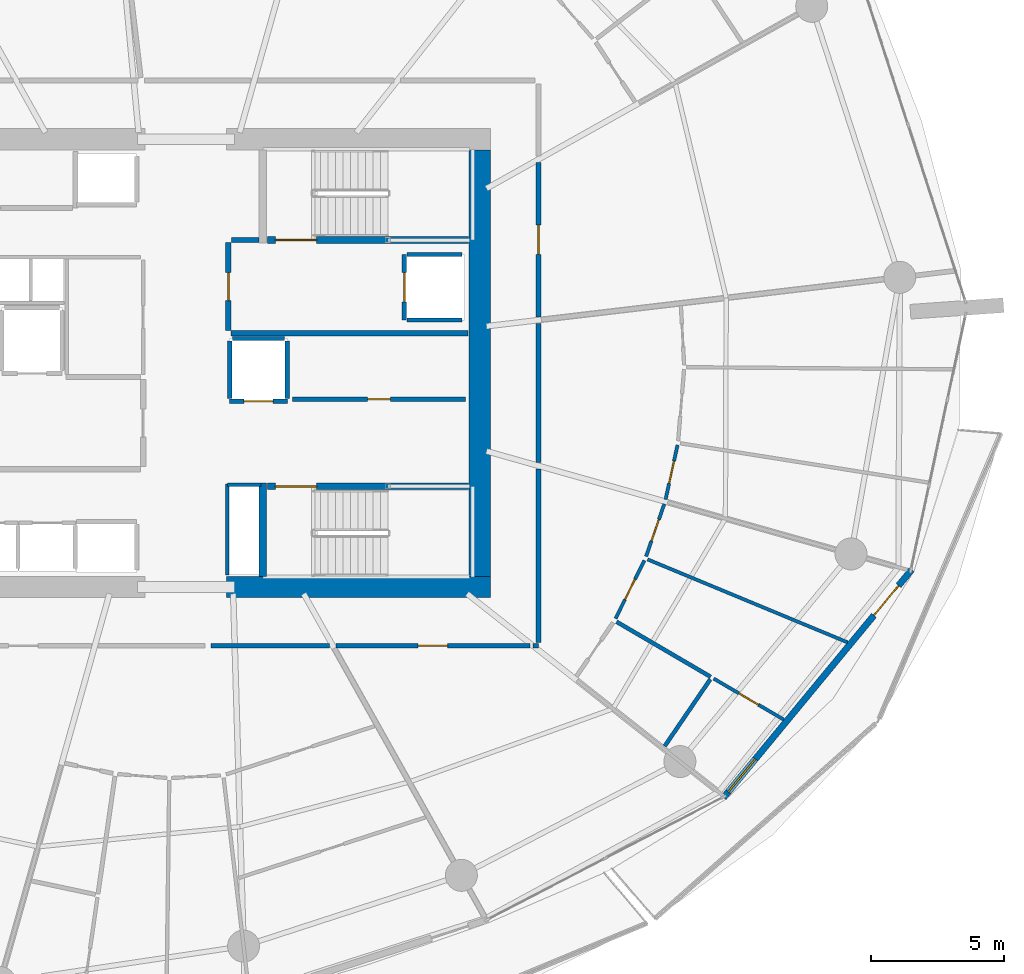
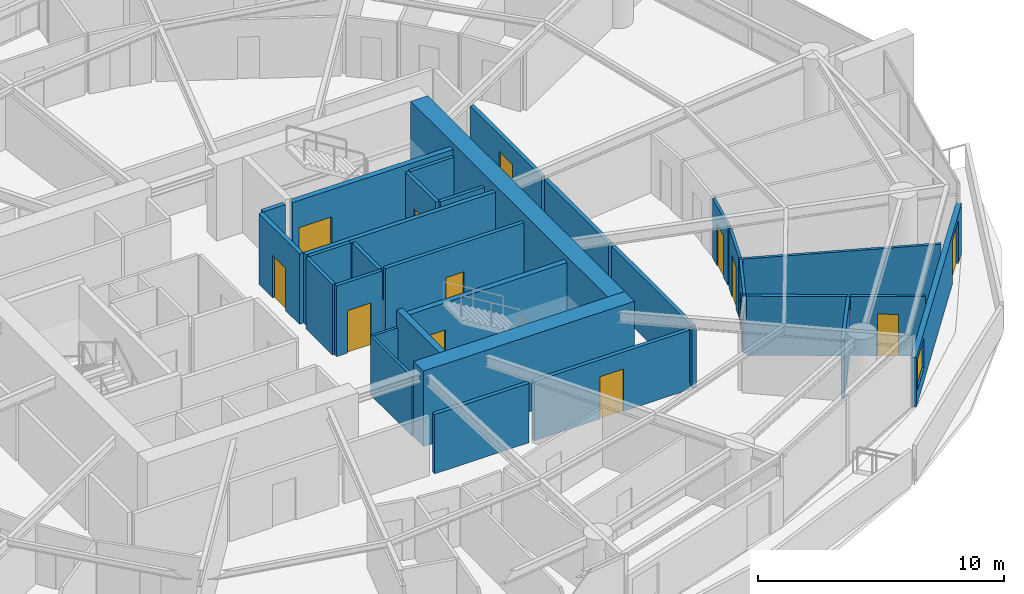
# One storey, part 13 of 23: 32 walls, 13 doors, 1 window, 14 openings.
"""IFC4 building model written with IfcOpenShell, lengths in metres."""

import ifcopenshell
import ifcopenshell.guid

model = None  # the IFC model being written
_history = None  # IfcOwnerHistory: only IFC2X3 demands one
_inside = {}  # id of a spatial element -> (the spatial element, [elements in it])
_under = {}  # id of a project, library or spatial element -> (it, [spatial elements below it])
_declared = {}  # id of a project -> (the project, [libraries it declares])
_typed = {}  # id of a type object -> (the type object, [elements of that type])
_made_of = {}  # id of a material, layer set ... -> (it, [elements and type objects made of it])


def new_model(schema):
    """Start an empty IFC model of exactly this schema.

    Asked for "IFC4X3", IfcOpenShell would pick the latest addendum, in which some entities
    have other attributes; the version numbers below select the first issue.
    IFC2X3 requires an IfcOwnerHistory on every rooted entity: one is made here for all.
    """
    global model, _history
    if schema == "IFC4X3":
        model = ifcopenshell.file(schema_version=(4, 3, 0, 0))
    else:
        model = ifcopenshell.file(schema=schema)
    _inside.clear()
    _under.clear()
    _declared.clear()
    _typed.clear()
    _made_of.clear()
    _history = None
    if model.schema == "IFC2X3":
        org = make("IfcOrganization", Name="unknown")
        user = make(
            "IfcPersonAndOrganization",
            ThePerson=make("IfcPerson", FamilyName="unknown"),
            TheOrganization=org,
        )
        app = make(
            "IfcApplication",
            ApplicationDeveloper=org,
            Version="unknown",
            ApplicationFullName="unknown",
            ApplicationIdentifier="unknown",
        )
        _history = make(
            "IfcOwnerHistory",
            OwningUser=user,
            OwningApplication=app,
            ChangeAction="ADDED",
            CreationDate=0,
        )
    return model


def make(cls, **values):
    """One entity of the class cls with the attributes given. An attribute that is None is left unset."""
    return model.create_entity(
        cls, **{name: value for name, value in values.items() if value is not None}
    )


def rooted(cls, **values):
    """An entity with a GlobalId (a new one), such as an element, a storey or a relation."""
    return make(cls, GlobalId=ifcopenshell.guid.new(), OwnerHistory=_history, **values)


def si_unit(unit_type, name, prefix=None):
    """IfcSIUnit, for example si_unit("LENGTHUNIT", "METRE", prefix="MILLI")."""
    return make("IfcSIUnit", UnitType=unit_type, Prefix=prefix, Name=name)


def assignment(units):
    """IfcUnitAssignment: the units of a project."""
    return None if units is None else make("IfcUnitAssignment", Units=units)


def point(xyz):
    """IfcCartesianPoint."""
    return None if xyz is None else make("IfcCartesianPoint", Coordinates=xyz)


def direction(xyz):
    """IfcDirection."""
    return None if xyz is None else make("IfcDirection", DirectionRatios=xyz)


def frame(location, z_axis=None, x_axis=None):
    """IfcAxis2Placement3D, a coordinate frame: its origin and axes. An axis left out is left unset."""
    return make(
        "IfcAxis2Placement3D",
        Location=point(location),
        Axis=direction(z_axis),
        RefDirection=direction(x_axis),
    )


def frame_2d(location, x_axis=None):
    """IfcAxis2Placement2D, a coordinate frame in the plane: its origin and x axis."""
    return make(
        "IfcAxis2Placement2D", Location=point(location), RefDirection=direction(x_axis)
    )


def origin():
    """The frame at (0, 0, 0) with its axes left unset."""
    return frame((0.0, 0.0, 0.0))


def place(relative_to, where):
    """IfcLocalPlacement: puts the frame where relative to a parent placement (None: the world)."""
    return make(
        "IfcLocalPlacement", PlacementRelTo=relative_to, RelativePlacement=where
    )


def context(
    kind, dimensions, precision=None, world=None, true_north=None, identifier=None
):
    """IfcGeometricRepresentationContext, for example the 3D "Model" context."""
    return make(
        "IfcGeometricRepresentationContext",
        ContextIdentifier=identifier,
        ContextType=kind,
        CoordinateSpaceDimension=dimensions,
        Precision=precision,
        WorldCoordinateSystem=world,
        TrueNorth=true_north,
    )


def subcontext(parent, identifier, kind, view, scale=None):
    """IfcGeometricRepresentationSubContext, for example "Body" below "Model"."""
    return make(
        "IfcGeometricRepresentationSubContext",
        ContextIdentifier=identifier,
        ContextType=kind,
        ParentContext=parent,
        TargetScale=scale,
        TargetView=view,
    )


def project(units=None, contexts=None):
    """IfcProject with its units and contexts."""
    return rooted(
        "IfcProject",
        Name="project",
        RepresentationContexts=contexts,
        UnitsInContext=assignment(units),
    )


def spatial(cls, under=None, at=None, **own):
    """A site, building, storey or space (cls), placed at a placement, below another one or the project."""
    s = rooted(cls, ObjectPlacement=at, **own)
    if under is not None:
        _under.setdefault(under.id(), (under, []))[1].append(s)
    return s


def profile(cls, at=None, kind="AREA", **sizes):
    """A parametric profile (cls). Its sizes go by their IFC names, for example OverallWidth=200.0."""
    return make(cls, ProfileType=kind, Position=at, **sizes)


def rectangle(**sizes):
    """IfcRectangleProfileDef."""
    return profile("IfcRectangleProfileDef", **sizes)


def extrude(swept, where, along, depth):
    """IfcExtrudedAreaSolid: the profile swept, set in the frame where, extruded along a direction by depth."""
    return make(
        "IfcExtrudedAreaSolid",
        SweptArea=swept,
        Position=where,
        ExtrudedDirection=direction(along),
        Depth=depth,
    )


def shape(context_of_items, identifier, shape_type, items):
    """IfcShapeRepresentation: the items that make up one representation, for example the "Body"."""
    return make(
        "IfcShapeRepresentation",
        ContextOfItems=context_of_items,
        RepresentationIdentifier=identifier,
        RepresentationType=shape_type,
        Items=items,
    )


def material(Name=None, Category=None):
    """IfcMaterial."""
    return make("IfcMaterial", Name=Name, Category=Category)


def layer(
    of_material, thickness, ventilated=None, Name=None, Category=None, Priority=None
):
    """IfcMaterialLayer: one layer of a wall or slab, of a material (None: an air gap)."""
    return make(
        "IfcMaterialLayer",
        Material=of_material,
        LayerThickness=thickness,
        IsVentilated=ventilated,
        Name=Name,
        Category=Category,
        Priority=Priority,
    )


def layer_set(layers, Name=None):
    """IfcMaterialLayerSet."""
    return make("IfcMaterialLayerSet", MaterialLayers=layers, LayerSetName=Name)


def made_of(thing, what):
    """Note that an element or type object is made of a material, layer set ...; save() writes the relation."""
    if what is not None:
        _made_of.setdefault(what.id(), (what, []))[1].append(thing)
    return thing


def type_object(cls, material=None, **own):
    """A type object (cls), such as IfcWallType, which elements share."""
    return made_of(rooted(cls, **own), material)


def element(
    cls,
    number,
    at=None,
    inside=None,
    cuts=None,
    type_object=None,
    material=None,
    context=None,
    identifier="Body",
    shape_type=None,
    held_by="IfcProductDefinitionShape",
    body=None,
    shapes=None,
    **own,
):
    """One element of the class cls, such as IfcWall. Its Tag is "e" and its number.

    at: its placement. inside: the storey or other place that contains it. cuts: it is an
    opening in that element (IfcRelVoidsElement). A single representation is given by context,
    identifier, shape_type and body (its items); several are given by shapes. held_by: the class
    of the entity that holds the representations. save() writes the other relations.
    """
    e = rooted(cls, Tag="e%d" % number, ObjectPlacement=at, **own)
    if body is not None:
        shapes = [shape(context, identifier, shape_type, body)]
    if shapes is not None:
        e.Representation = make(held_by, Representations=shapes)
    if inside is not None:
        _inside.setdefault(inside.id(), (inside, []))[1].append(e)
    if cuts is not None:
        rooted(
            "IfcRelVoidsElement", RelatingBuildingElement=cuts, RelatedOpeningElement=e
        )
    if type_object is not None:
        _typed.setdefault(type_object.id(), (type_object, []))[1].append(e)
    return made_of(e, material)


def fill(opening, filler):
    """IfcRelFillsElement: the door or window that sits in an opening."""
    return rooted(
        "IfcRelFillsElement",
        RelatingOpeningElement=opening,
        RelatedBuildingElement=filler,
    )


def aggregate(whole, parts):
    """IfcRelAggregates: a whole, such as a stair, and the parts it consists of."""
    return rooted("IfcRelAggregates", RelatingObject=whole, RelatedObjects=parts)


def save(model, path):
    """Write the relations noted so far, then the file.

    IfcRelAggregates (storeys below a building ...), IfcRelContainedInSpatialStructure (elements
    in a storey), IfcRelDefinesByType, IfcRelAssociatesMaterial and IfcRelDeclares: one each for
    every whole, place, type object, material and project.
    """
    for whole, parts in _under.values():
        aggregate(whole, parts)
    for where, things in _inside.values():
        rooted(
            "IfcRelContainedInSpatialStructure",
            RelatedElements=things,
            RelatingStructure=where,
        )
    for kind, things in _typed.values():
        rooted("IfcRelDefinesByType", RelatedObjects=things, RelatingType=kind)
    for what, things in _made_of.values():
        rooted("IfcRelAssociatesMaterial", RelatedObjects=things, RelatingMaterial=what)
    for by, libraries in _declared.values():
        rooted("IfcRelDeclares", RelatingContext=by, RelatedDefinitions=libraries)
    model.write(path)


model = new_model("IFC4")

# Units and contexts
model_context = context("Model", 3, precision=1e-05, world=origin(), true_north=direction((0.0, 1.0)))
body_context = subcontext(model_context, "Body", "Model", "MODEL_VIEW")
ifc_project = project(units=[si_unit("LENGTHUNIT", "METRE"), si_unit("AREAUNIT", "SQUARE_METRE"), si_unit("VOLUMEUNIT", "CUBIC_METRE"), si_unit("PLANEANGLEUNIT", "RADIAN"), si_unit("MASSUNIT", "GRAM", prefix="KILO")], contexts=[model_context])

# Site, building, storey
site_placement = place(None, origin())
site = spatial("IfcSite", under=ifc_project, at=site_placement, CompositionType="ELEMENT")
building_placement = place(site_placement, origin())
building = spatial("IfcBuilding", under=site, at=building_placement, Name="Kazma Halo Residences", CompositionType="ELEMENT")
storey_placement = place(building_placement, frame((0.0, 0.0, 101.39990234375)))
storey = spatial("IfcBuildingStorey", under=building, at=storey_placement, Name="L25", CompositionType="ELEMENT", Elevation=101.39990234375)

# Walls
ifc_material_1 = material(Name="Concrete C80/95", Category="concrete")
ifc_layer_1 = layer(ifc_material_1, 0.800048828125)
ifc_layer_set_1 = layer_set([ifc_layer_1], Name="Concrete C80/95")
wall_type_1 = type_object("IfcWallType", Name="WL-CORE-800", PredefinedType="SHEAR", material=ifc_layer_set_1)
wall_1_placement = place(storey_placement, frame((49.949951171875, 33.60009765625, 0.0), z_axis=(0.0, 0.0, 1.0), x_axis=(1.0, 0.0, 0.0)))
element("IfcWall", 1, at=wall_1_placement, inside=storey, type_object=wall_type_1, Name="L25 central core shear wall SE", PredefinedType="SHEAR", context=body_context, shape_type="SweptSolid", body=[
    extrude(rectangle(XDim=9.900146484375, YDim=0.800048828125, at=frame_2d((4.9501953125, 0.0))), origin(), (0.0, 0.0, 1.0), 3.75),
])
wall_2_placement = place(storey_placement, frame((59.449951171875, 34.0, 0.0), z_axis=(0.0, 0.0, 1.0), x_axis=(0.0, 1.0, 0.0)))
element("IfcWall", 2, at=wall_2_placement, inside=storey, type_object=wall_type_1, Name="L25 central core shear wall E", PredefinedType="SHEAR", context=body_context, shape_type="SweptSolid", body=[
    extrude(rectangle(XDim=16.0, YDim=0.800048828125, at=frame_2d((8.0, 0.0))), origin(), (0.0, 0.0, 1.0), 3.75),
])
ifc_material_2 = material(Name="Concrete C60/75", Category="concrete")
ifc_layer_2 = layer(ifc_material_2, 0.280029296875)
ifc_layer_set_2 = layer_set([ifc_layer_2], Name="Concrete C60/75")
wall_type_2 = type_object("IfcWallType", Name="WL-CORE-ST-280", PredefinedType="SHEAR", material=ifc_layer_set_2)
wall_3_placement = place(storey_placement, frame((51.31005859375, 34.0, 0.0), z_axis=(0.0, 0.0, 1.0), x_axis=(0.0, 1.0, 0.0)))
element("IfcWall", 3, at=wall_3_placement, inside=storey, type_object=wall_type_2, Name="L25 stairwell bearing wall ST03-W", PredefinedType="SHEAR", context=body_context, shape_type="SweptSolid", body=[
    extrude(rectangle(XDim=3.5, YDim=0.280029296875, at=frame_2d((1.75, 0.0))), origin(), (0.0, 0.0, 1.0), 3.75),
])
ifc_material_3 = material(Name="Acoustic Twin-Stud Gypsum")
ifc_layer_3 = layer(ifc_material_3, 0.179931640625)
ifc_layer_set_3 = layer_set([ifc_layer_3], Name="Acoustic Twin-Stud Gypsum")
wall_type_3 = type_object("IfcWallType", Name="WL-DEM-180", PredefinedType="PARTITIONING", material=ifc_layer_set_3)
wall_4_placement = place(storey_placement, frame((49.37451171875, 31.39990234375, 0.0), z_axis=(0.0, 0.0, 1.0), x_axis=(1.0, 0.0, 0.0)))
element("IfcWall", 4, at=wall_4_placement, inside=storey, type_object=wall_type_3, Name="L25 Apartment 2 inner wall 11", PredefinedType="PARTITIONING", context=body_context, shape_type="SweptSolid", body=[
    extrude(rectangle(XDim=4.44189453125, YDim=0.179931640625, at=frame_2d((2.220947265625, 0.0))), origin(), (0.0, 0.0, 1.0), 2.940185546875),
])

# Wall, opening, door
wall_5_placement = place(storey_placement, frame((54.056396484375, 31.39990234375, 0.0), z_axis=(0.0, 0.0, 1.0), x_axis=(1.0, 0.0, 0.0)))
wall_5 = element("IfcWall", 5, at=wall_5_placement, inside=storey, type_object=wall_type_3, Name="L25 Apartment 3 entrance corridor wall", PredefinedType="PARTITIONING", context=body_context, shape_type="SweptSolid", body=[
    extrude(rectangle(XDim=7.26953125, YDim=0.179931640625, at=frame_2d((3.634765625, 0.0))), origin(), (0.0, 0.0, 1.0), 2.940185546875),
])
opening_1_placement = place(wall_5_placement, frame((3.0849609375, 0.0, 0.0)))
opening_1 = element("IfcOpeningElement", 6, at=opening_1_placement, cuts=wall_5, Name="Opening DA-1100", PredefinedType="OPENING", context=body_context, shape_type="SweptSolid", body=[
    extrude(rectangle(XDim=1.10009765625, YDim=2.10009765625, at=frame_2d((0.550048828125, 1.050048828125))), frame((0.0, 0.099853515625, 0.0), z_axis=(0.0, -1.0, 0.0), x_axis=(1.0, 0.0, 0.0)), (0.0, 0.0, 1.0), 0.199951171875),
])
ifc_material_4 = material(Name="Acoustic Walnut Fire Leaf")
door_type_1 = type_object("IfcDoorType", Name="DR-FD60-1100", OperationType="NOTDEFINED", PredefinedType="DOOR", material=ifc_material_4)
door_1_placement = place(opening_1_placement, origin())
door_1 = element("IfcDoor", 7, at=door_1_placement, inside=storey, type_object=door_type_1, Name="L25 Apartment 3 entrance fire door", OperationType="SINGLE_SWING_LEFT", OverallHeight=2.10009765625, OverallWidth=1.10009765625, PredefinedType="DOOR", context=body_context, shape_type="SweptSolid", body=[
    extrude(rectangle(XDim=1.10009765625, YDim=2.10009765625, at=frame_2d((0.550048828125, 1.050048828125))), frame((0.0, 0.02490234375, 0.0), z_axis=(0.0, -1.0, 0.0), x_axis=(1.0, 0.0, 0.0)), (0.0, 0.0, 1.0), 0.050048828125),
])
fill(opening_1, door_1)

# Walls
wall_6_placement = place(storey_placement, frame((61.446044921875, 31.39990234375, 0.0), z_axis=(0.0, 0.0, 1.0), x_axis=(1.0, 0.0, 0.0)))
element("IfcWall", 8, at=wall_6_placement, inside=storey, type_object=wall_type_3, Name="L25 Apartment 3 inner wall 13", PredefinedType="PARTITIONING", context=body_context, shape_type="SweptSolid", body=[
    extrude(rectangle(XDim=0.203857421875, YDim=0.179931640625, at=frame_2d((0.10205078125, 0.0))), origin(), (0.0, 0.0, 1.0), 2.940185546875),
])
wall_7_placement = place(storey_placement, frame((61.64990234375, 31.52001953125, 0.0), z_axis=(0.0, 0.0, 1.0), x_axis=(0.0, 1.0, 0.0)))
element("IfcWall", 9, at=wall_7_placement, inside=storey, type_object=wall_type_3, Name="L25 Apartment 3 inner wall 13", PredefinedType="PARTITIONING", context=body_context, shape_type="SweptSolid", body=[
    extrude(rectangle(XDim=6.51025390625, YDim=0.179931640625, at=frame_2d((3.255126953125, 0.0))), origin(), (0.0, 0.0, 1.0), 2.940185546875),
])
wall_8_placement = place(storey_placement, frame((61.64990234375, 38.270263671875, 0.0), z_axis=(0.0, 0.0, 1.0), x_axis=(0.0, 1.0, 0.0)))
element("IfcWall", 10, at=wall_8_placement, inside=storey, type_object=wall_type_3, Name="L25 Apartment 3 inner wall 14", PredefinedType="PARTITIONING", context=body_context, shape_type="SweptSolid", body=[
    extrude(rectangle(XDim=5.225341796875, YDim=0.179931640625, at=frame_2d((2.61279296875, 0.0))), origin(), (0.0, 0.0, 1.0), 2.940185546875),
])

# Wall, opening, door
wall_9_placement = place(storey_placement, frame((61.64990234375, 43.735595703125, 0.0), z_axis=(0.0, 0.0, 1.0), x_axis=(0.0, 1.0, 0.0)))
wall_9 = element("IfcWall", 11, at=wall_9_placement, inside=storey, type_object=wall_type_3, Name="L25 Apartment 4 entrance corridor wall", PredefinedType="PARTITIONING", context=body_context, shape_type="SweptSolid", body=[
    extrude(rectangle(XDim=5.788818359375, YDim=0.179931640625, at=frame_2d((2.89453125, 0.0))), origin(), (0.0, 0.0, 1.0), 2.940185546875),
])
opening_2_placement = place(wall_9_placement, frame((2.344482421875, 0.0, 0.0)))
opening_2 = element("IfcOpeningElement", 12, at=opening_2_placement, cuts=wall_9, Name="Opening DA-1100", PredefinedType="OPENING", context=body_context, shape_type="SweptSolid", body=[
    extrude(rectangle(XDim=1.10009765625, YDim=2.10009765625, at=frame_2d((0.550048828125, 1.050048828125))), frame((0.0, 0.099853515625, 0.0), z_axis=(0.0, -1.0, 0.0), x_axis=(1.0, 0.0, 0.0)), (0.0, 0.0, 1.0), 0.199951171875),
])
door_2_placement = place(opening_2_placement, origin())
door_2 = element("IfcDoor", 13, at=door_2_placement, inside=storey, type_object=door_type_1, Name="L25 Apartment 4 entrance fire door", OperationType="SINGLE_SWING_RIGHT", OverallHeight=2.10009765625, OverallWidth=1.10009765625, PredefinedType="DOOR", context=body_context, shape_type="SweptSolid", body=[
    extrude(rectangle(XDim=1.10009765625, YDim=2.10009765625, at=frame_2d((0.550048828125, 1.050048828125))), frame((0.0, 0.02490234375, 0.0), z_axis=(0.0, -1.0, 0.0), x_axis=(1.0, 0.0, 0.0)), (0.0, 0.0, 1.0), 0.050048828125),
])
fill(opening_2, door_2)

# Wall, openings, door, window
ifc_material_5 = material(Name="Insulated Pale-Metal Composite Wall")
ifc_layer_4 = layer(ifc_material_5, 0.239990234375)
ifc_layer_set_4 = layer_set([ifc_layer_4], Name="Insulated Pale-Metal Composite Wall")
wall_type_4 = type_object("IfcWallType", Name="WL-EXT-HOST-240", PredefinedType="SOLIDWALL", material=ifc_layer_set_4)
wall_10_placement = place(storey_placement, frame((68.593017578125, 25.7021484375, 0.0), z_axis=(0.0, 0.0, 1.0), x_axis=(0.636704975, 0.771107498868, 0.0)))
wall_10 = element("IfcWall", 14, at=wall_10_placement, inside=storey, type_object=wall_type_4, Name="L25 exterior terrace-access wall B14", PredefinedType="SOLIDWALL", context=body_context, shape_type="SweptSolid", body=[
    extrude(rectangle(XDim=11.084228515625, YDim=0.239990234375, at=frame_2d((5.5419921875, 0.0))), origin(), (0.0, 0.0, 1.0), 2.4501953125),
])
opening_3_placement = place(wall_10_placement, frame((8.8642578125, 0.0, 0.0)))
opening_3 = element("IfcOpeningElement", 15, at=opening_3_placement, cuts=wall_10, Name="Opening DTR-1600", PredefinedType="OPENING", context=body_context, shape_type="SweptSolid", body=[
    extrude(rectangle(XDim=1.449951171875, YDim=2.14990234375, at=frame_2d((0.72509765625, 1.074951171875))), frame((0.0, 0.1298828125, 0.0), z_axis=(0.0, -1.0, 0.0), x_axis=(1.0, 0.0, 0.0)), (0.0, 0.0, 1.0), 0.260009765625),
])
opening_4_placement = place(wall_10_placement, frame((0.280029296875, 0.0, 0.64990234375)))
opening_4 = element("IfcOpeningElement", 16, at=opening_4_placement, cuts=wall_10, Name="Opening W-1800", PredefinedType="OPENING", context=body_context, shape_type="SweptSolid", body=[
    extrude(rectangle(XDim=1.60009765625, YDim=1.5, at=frame_2d((0.800048828125, 0.75))), frame((0.0, 0.1298828125, 0.0), z_axis=(0.0, -1.0, 0.0), x_axis=(1.0, 0.0, 0.0)), (0.0, 0.0, 1.0), 0.260009765625),
])
ifc_material_6 = material(Name="Aluminium AW-6063 T6 Double-Glazed Terrace Door", Category="aluminium")
door_type_2 = type_object("IfcDoorType", Name="DR-EXT-TERR-1600", OperationType="NOTDEFINED", PredefinedType="DOOR", material=ifc_material_6)
door_3_placement = place(opening_3_placement, origin())
door_3 = element("IfcDoor", 17, at=door_3_placement, inside=storey, type_object=door_type_2, Name="L25 B14 balcony terrace door", OperationType="DOUBLE_DOOR_SLIDING", OverallHeight=2.14990234375, OverallWidth=1.449951171875, PredefinedType="DOOR", context=body_context, shape_type="SweptSolid", body=[
    extrude(rectangle(XDim=1.449951171875, YDim=2.14990234375, at=frame_2d((0.72509765625, 1.074951171875))), frame((0.0, 0.02490234375, 0.0), z_axis=(0.0, -1.0, 0.0), x_axis=(1.0, 0.0, 0.0)), (0.0, 0.0, 1.0), 0.050048828125),
])
fill(opening_3, door_3)
ifc_material_7 = material(Name="Clear Triple-Silver Low-E Glass in Aluminium AW-6063 T6 Frame", Category="aluminium")
window_type = type_object("IfcWindowType", Name="WIN-RES-1800", PartitioningType="DOUBLE_PANEL_VERTICAL", PredefinedType="WINDOW", material=ifc_material_7)
window_placement = place(opening_4_placement, origin())
window = element("IfcWindow", 18, at=window_placement, inside=storey, type_object=window_type, Name="L25 B14 apartment window", OverallHeight=1.5, OverallWidth=1.60009765625, PartitioningType="SINGLE_PANEL", PredefinedType="WINDOW", context=body_context, shape_type="SweptSolid", body=[
    extrude(rectangle(XDim=1.60009765625, YDim=1.5, at=frame_2d((0.800048828125, 0.75))), frame((0.0, 0.030029296875, 0.0), z_axis=(0.0, -1.0, 0.0), x_axis=(1.0, 0.0, 0.0)), (0.0, 0.0, 1.0), 0.06005859375),
])
fill(opening_4, window)

# Wall, opening, door
ifc_material_8 = material(Name="Fire-Rated Blockwork Masonry", Category="masonry")
ifc_layer_5 = layer(ifc_material_8, 0.199951171875)
ifc_layer_set_5 = layer_set([ifc_layer_5], Name="Fire-Rated Blockwork Masonry")
wall_type_5 = type_object("IfcWallType", Name="WL-FLB-200", PredefinedType="PARTITIONING", material=ifc_layer_set_5)
wall_11_placement = place(storey_placement, frame((56.6201171875, 46.080078125, 0.0), z_axis=(0.0, 0.0, 1.0), x_axis=(0.0, -1.0, 0.0)))
wall_11 = element("IfcWall", 19, at=wall_11_placement, inside=storey, type_object=wall_type_5, Name="L25 lift shaft FL-02 front wall", PredefinedType="PARTITIONING", context=body_context, shape_type="SweptSolid", body=[
    extrude(rectangle(XDim=2.4599609375, YDim=0.159912109375, at=frame_2d((1.22998046875, 0.0))), origin(), (0.0, 0.0, 1.0), 3.5),
])
opening_5_placement = place(wall_11_placement, frame((0.679931640625, 0.0, 0.0)))
opening_5 = element("IfcOpeningElement", 20, at=opening_5_placement, cuts=wall_11, Name="Opening LD-FL-02", PredefinedType="OPENING", context=body_context, shape_type="SweptSolid", body=[
    extrude(rectangle(XDim=1.10009765625, YDim=2.10009765625, at=frame_2d((0.550048828125, 1.050048828125))), frame((0.0, 0.08984375, 0.0), z_axis=(0.0, -1.0, 0.0), x_axis=(1.0, 0.0, 0.0)), (0.0, 0.0, 1.0), 0.179931640625),
])
ifc_material_9 = material(Name="Stainless Steel Fire-Rated", Category="steel")
door_type_3 = type_object("IfcDoorType", Name="DR-LIFT-SLD-1100", OperationType="DOUBLE_DOOR_SLIDING", PredefinedType="DOOR", material=ifc_material_9)
door_4_placement = place(opening_5_placement, origin())
door_4 = element("IfcDoor", 21, at=door_4_placement, inside=storey, type_object=door_type_3, Name="L25 lift FL-02 sliding landing door", OperationType="DOUBLE_DOOR_SLIDING", OverallHeight=2.10009765625, OverallWidth=1.10009765625, PredefinedType="DOOR", context=body_context, shape_type="SweptSolid", body=[
    extrude(rectangle(XDim=1.10009765625, YDim=2.10009765625, at=frame_2d((0.550048828125, 1.050048828125))), frame((0.0, 0.02490234375, 0.0), z_axis=(0.0, -1.0, 0.0), x_axis=(1.0, 0.0, 0.0)), (0.0, 0.0, 1.0), 0.050048828125),
])
fill(opening_5, door_4)

# Walls
for number, where, z_axis, x_axis, name in (
    (22, (56.719970703125, 46.080078125, 0.0), (0.0, 0.0, 1.0), (1.0, 0.0, 0.0), "L25 lift shaft FL-02 side wall N"),
    (23, (56.719970703125, 43.6201171875, 0.0), (0.0, 0.0, 1.0), (1.0, 0.0, 0.0), "L25 lift shaft FL-02 side wall S"),
):
    element("IfcWall", number, at=place(storey_placement, frame(where, z_axis=z_axis, x_axis=x_axis)), inside=storey, type_object=wall_type_5, Name=name, PredefinedType="PARTITIONING", context=body_context, shape_type="SweptSolid", body=[
        extrude(rectangle(XDim=2.06005859375, YDim=0.159912109375, at=frame_2d((1.030029296875, 0.0))), origin(), (0.0, 0.0, 1.0), 3.5),
    ])

# Wall, opening, door
wall_12_placement = place(storey_placement, frame((52.22998046875, 40.570068359375, 0.0), z_axis=(0.0, 0.0, 1.0), x_axis=(-1.0, 0.0, 0.0)))
wall_12 = element("IfcWall", 24, at=wall_12_placement, inside=storey, type_object=wall_type_5, Name="L25 lift shaft SV-01 front wall", PredefinedType="PARTITIONING", context=body_context, shape_type="SweptSolid", body=[
    extrude(rectangle(XDim=2.159912109375, YDim=0.159912109375, at=frame_2d((1.080078125, 0.0))), origin(), (0.0, 0.0, 1.0), 3.5),
])
opening_6_placement = place(wall_12_placement, frame((0.530029296875, 0.0, 0.0)))
opening_6 = element("IfcOpeningElement", 25, at=opening_6_placement, cuts=wall_12, Name="Opening LD-SV-01", PredefinedType="OPENING", context=body_context, shape_type="SweptSolid", body=[
    extrude(rectangle(XDim=1.10009765625, YDim=2.10009765625, at=frame_2d((0.550048828125, 1.050048828125))), frame((0.0, 0.08984375, 0.0), z_axis=(0.0, -1.0, 0.0), x_axis=(1.0, 0.0, 0.0)), (0.0, 0.0, 1.0), 0.179931640625),
])
door_5_placement = place(opening_6_placement, origin())
door_5 = element("IfcDoor", 26, at=door_5_placement, inside=storey, type_object=door_type_3, Name="L25 lift SV-01 sliding landing door", OperationType="DOUBLE_DOOR_SLIDING", OverallHeight=2.10009765625, OverallWidth=1.10009765625, PredefinedType="DOOR", context=body_context, shape_type="SweptSolid", body=[
    extrude(rectangle(XDim=1.10009765625, YDim=2.10009765625, at=frame_2d((0.550048828125, 1.050048828125))), frame((0.0, 0.02490234375, 0.0), z_axis=(0.0, -1.0, 0.0), x_axis=(1.0, 0.0, 0.0)), (0.0, 0.0, 1.0), 0.050048828125),
])
fill(opening_6, door_5)

# Walls
for number, where, z_axis, x_axis, name in (
    (27, (52.22998046875, 40.669921875, 0.0), (0.0, 0.0, 1.0), (0.0, 1.0, 0.0), "L25 lift shaft SV-01 side wall E"),
    (28, (50.070068359375, 40.669921875, 0.0), (0.0, 0.0, 1.0), (0.0, 1.0, 0.0), "L25 lift shaft SV-01 side wall W"),
):
    element("IfcWall", number, at=place(storey_placement, frame(where, z_axis=z_axis, x_axis=x_axis)), inside=storey, type_object=wall_type_5, Name=name, PredefinedType="PARTITIONING", context=body_context, shape_type="SweptSolid", body=[
        extrude(rectangle(XDim=2.16015625, YDim=0.159912109375, at=frame_2d((1.080078125, 0.0))), origin(), (0.0, 0.0, 1.0), 3.5),
    ])
wall_13_placement = place(storey_placement, frame((50.169921875, 42.929931640625, 0.0), z_axis=(0.0, 0.0, 1.0), x_axis=(1.0, 0.0, 0.0)))
element("IfcWall", 29, at=wall_13_placement, inside=storey, type_object=wall_type_5, Name="L25 lift shaft SV-01 side wall N", PredefinedType="PARTITIONING", context=body_context, shape_type="SweptSolid", body=[
    extrude(rectangle(XDim=1.9599609375, YDim=0.159912109375, at=frame_2d((0.97998046875, 0.0))), origin(), (0.0, 0.0, 1.0), 3.5),
])

# Wall, opening, door
wall_14_placement = place(storey_placement, frame((52.419921875, 40.64990234375, 0.0), z_axis=(0.0, 0.0, 1.0), x_axis=(1.0, 0.0, 0.0)))
wall_14 = element("IfcWall", 30, at=wall_14_placement, inside=storey, type_object=wall_type_5, Name="L25 core east reserve wall", PredefinedType="PARTITIONING", context=body_context, shape_type="SweptSolid", body=[
    extrude(rectangle(XDim=6.5, YDim=0.179931640625, at=frame_2d((3.25, 0.0))), origin(), (0.0, 0.0, 1.0), 3.5),
])
opening_7_placement = place(wall_14_placement, frame((2.824951171875, 0.0, 0.0)))
opening_7 = element("IfcOpeningElement", 31, at=opening_7_placement, cuts=wall_14, Name="Opening DS-850", PredefinedType="OPENING", context=body_context, shape_type="SweptSolid", body=[
    extrude(rectangle(XDim=0.85009765625, YDim=2.06005859375, at=frame_2d((0.425048828125, 1.030029296875))), frame((0.0, 0.099853515625, 0.0), z_axis=(0.0, -1.0, 0.0), x_axis=(1.0, 0.0, 0.0)), (0.0, 0.0, 1.0), 0.199951171875),
])
ifc_material_10 = material(Name="Painted Steel Access Leaf", Category="steel")
door_type_4 = type_object("IfcDoorType", Name="DR-SVC-850", OperationType="NOTDEFINED", PredefinedType="DOOR", material=ifc_material_10)
door_6_placement = place(opening_7_placement, origin())
door_6 = element("IfcDoor", 32, at=door_6_placement, inside=storey, type_object=door_type_4, Name="L25 core east reserve door", OperationType="SINGLE_SWING_RIGHT", OverallHeight=2.06005859375, OverallWidth=0.85009765625, PredefinedType="DOOR", context=body_context, shape_type="SweptSolid", body=[
    extrude(rectangle(XDim=0.85009765625, YDim=2.06005859375, at=frame_2d((0.425048828125, 1.030029296875))), frame((0.0, 0.02490234375, 0.0), z_axis=(0.0, -1.0, 0.0), x_axis=(1.0, 0.0, 0.0)), (0.0, 0.0, 1.0), 0.050048828125),
])
fill(opening_7, door_6)

# Walls
wall_15_placement = place(storey_placement, frame((50.1201171875, 43.1201171875, 0.0), z_axis=(0.0, 0.0, 1.0), x_axis=(1.0, 0.0, 0.0)))
element("IfcWall", 33, at=wall_15_placement, inside=storey, type_object=wall_type_5, Name="L25 east firefighting lobby south smoke wall", PredefinedType="PARTITIONING", context=body_context, shape_type="SweptSolid", body=[
    extrude(rectangle(XDim=8.8798828125, YDim=0.199951171875, at=frame_2d((4.43994140625, 0.0))), origin(), (0.0, 0.0, 1.0), 3.5),
])
wall_16_placement = place(storey_placement, frame((50.139892578125, 46.6201171875, 0.0), z_axis=(0.0, 0.0, 1.0), x_axis=(1.0, 0.0, 0.0)))
element("IfcWall", 34, at=wall_16_placement, inside=storey, type_object=wall_type_5, Name="L25 east firefighting lobby north closure wall", PredefinedType="PARTITIONING", context=body_context, shape_type="SweptSolid", body=[
    extrude(rectangle(XDim=1.02001953125, YDim=0.199951171875, at=frame_2d((0.510009765625, 0.0))), origin(), (0.0, 0.0, 1.0), 3.5),
])

# Wall, opening, door
wall_17_placement = place(storey_placement, frame((50.02001953125, 43.219970703125, 0.0), z_axis=(0.0, 0.0, 1.0), x_axis=(0.0, 1.0, 0.0)))
wall_17 = element("IfcWall", 35, at=wall_17_placement, inside=storey, type_object=wall_type_5, Name="L25 east firefighting lobby smoke wall", PredefinedType="PARTITIONING", context=body_context, shape_type="SweptSolid", body=[
    extrude(rectangle(XDim=3.300048828125, YDim=0.199951171875, at=frame_2d((1.64990234375, 0.0))), origin(), (0.0, 0.0, 1.0), 3.5),
])
opening_8_placement = place(wall_17_placement, frame((1.125, 0.0, 0.0)))
opening_8 = element("IfcOpeningElement", 36, at=opening_8_placement, cuts=wall_17, Name="Opening D-FLE", PredefinedType="OPENING", context=body_context, shape_type="SweptSolid", body=[
    extrude(rectangle(XDim=1.050048828125, YDim=2.10009765625, at=frame_2d((0.52490234375, 1.050048828125))), frame((0.0, 0.10986328125, 0.0), z_axis=(0.0, -1.0, 0.0), x_axis=(1.0, 0.0, 0.0)), (0.0, 0.0, 1.0), 0.219970703125),
])
ifc_material_11 = material(Name="Fire-Rated Steel Leaf", Category="steel")
door_type_5 = type_object("IfcDoorType", Name="DR-FD90-1050", OperationType="NOTDEFINED", PredefinedType="DOOR", material=ifc_material_11)
door_7_placement = place(opening_8_placement, origin())
door_7 = element("IfcDoor", 37, at=door_7_placement, inside=storey, type_object=door_type_5, Name="L25 east firefighting lobby smoke door", OperationType="SINGLE_SWING_LEFT", OverallHeight=2.10009765625, OverallWidth=1.050048828125, PredefinedType="DOOR", context=body_context, shape_type="SweptSolid", body=[
    extrude(rectangle(XDim=1.050048828125, YDim=2.10009765625, at=frame_2d((0.52490234375, 1.050048828125))), frame((0.0, 0.02490234375, 0.0), z_axis=(0.0, -1.0, 0.0), x_axis=(1.0, 0.0, 0.0)), (0.0, 0.0, 1.0), 0.050048828125),
])
fill(opening_8, door_7)

# Walls
ifc_material_12 = material(Name="Gypsum Plasterboard Partition")
ifc_layer_6 = layer(ifc_material_12, 0.125)
ifc_layer_set_6 = layer_set([ifc_layer_6], Name="Gypsum Plasterboard Partition")
wall_type_6 = type_object("IfcWallType", Name="WL-PART-125", PredefinedType="PARTITIONING", material=ifc_layer_set_6)
wall_18_placement = place(storey_placement, frame((49.97998046875, 34.06005859375, 0.0), z_axis=(0.0, 0.0, 1.0), x_axis=(0.0, 1.0, 0.0)))
element("IfcWall", 38, at=wall_18_placement, inside=storey, type_object=wall_type_6, Name="L25 standpipe riser wall", PredefinedType="PARTITIONING", context=body_context, shape_type="SweptSolid", body=[
    extrude(rectangle(XDim=3.39990234375, YDim=0.125, at=frame_2d((1.699951171875, 0.0))), origin(), (0.0, 0.0, 1.0), 2.940185546875),
])
wall_19_placement = place(storey_placement, frame((49.97998046875, 37.43994140625, 0.0), z_axis=(0.0, 0.0, 1.0), x_axis=(1.0, 0.0, 0.0)))
element("IfcWall", 39, at=wall_19_placement, inside=storey, type_object=wall_type_6, Name="L25 standpipe riser north wall", PredefinedType="PARTITIONING", context=body_context, shape_type="SweptSolid", body=[
    extrude(rectangle(XDim=1.260009765625, YDim=0.125, at=frame_2d((0.6298828125, 0.0))), origin(), (0.0, 0.0, 1.0), 2.940185546875),
])

# Wall, opening, door
wall_20_placement = place(storey_placement, frame((68.224853515625, 30.16748046875, 0.0), z_axis=(0.0, 0.0, 1.0), x_axis=(0.863132180625, -0.504978057711, 0.0)))
wall_20 = element("IfcWall", 40, at=wall_20_placement, inside=storey, type_object=wall_type_6, Name="L25 Apartment 3 Utility Laundry Room partition wall", PredefinedType="PARTITIONING", context=body_context, shape_type="SweptSolid", body=[
    extrude(rectangle(XDim=3.04296875, YDim=0.125, at=frame_2d((1.521484375, 0.0))), origin(), (0.0, 0.0, 1.0), 2.940185546875),
])
opening_9_placement = place(wall_20_placement, frame((1.096435546875, 0.0, 0.0)))
opening_9 = element("IfcOpeningElement", 41, at=opening_9_placement, cuts=wall_20, Name="Opening DB-900", PredefinedType="OPENING", context=body_context, shape_type="SweptSolid", body=[
    extrude(rectangle(XDim=0.85009765625, YDim=2.06005859375, at=frame_2d((0.425048828125, 1.030029296875))), frame((0.0, 0.072509765625, 0.0), z_axis=(0.0, -1.0, 0.0), x_axis=(1.0, 0.0, 0.0)), (0.0, 0.0, 1.0), 0.14501953125),
])
ifc_material_13 = material(Name="Moisture-Sealed Timber Leaf", Category="wood")
door_type_6 = type_object("IfcDoorType", Name="DR-BTH-900", OperationType="NOTDEFINED", PredefinedType="DOOR", material=ifc_material_13)
door_8_placement = place(opening_9_placement, origin())
door_8 = element("IfcDoor", 42, at=door_8_placement, inside=storey, type_object=door_type_6, Name="L25 Apartment 3 Utility Laundry Room door", OperationType="SINGLE_SWING_RIGHT", OverallHeight=2.06005859375, OverallWidth=0.85009765625, PredefinedType="DOOR", context=body_context, shape_type="SweptSolid", body=[
    extrude(rectangle(XDim=0.85009765625, YDim=2.06005859375, at=frame_2d((0.425048828125, 1.030029296875))), frame((0.0, 0.02490234375, 0.0), z_axis=(0.0, -1.0, 0.0), x_axis=(1.0, 0.0, 0.0)), (0.0, 0.0, 1.0), 0.050048828125),
])
fill(opening_9, door_8)

# Wall
wall_21_placement = place(storey_placement, frame((65.74560546875, 34.638671875, 0.0), z_axis=(0.0, 0.0, 1.0), x_axis=(0.923687629783, -0.383146398373, 0.0)))
element("IfcWall", 43, at=wall_21_placement, inside=storey, type_object=wall_type_6, Name="L25 Apartment 3 suite divider 13", PredefinedType="PARTITIONING", context=body_context, shape_type="SweptSolid", body=[
    extrude(rectangle(XDim=8.121826171875, YDim=0.125, at=frame_2d((4.06103515625, 0.0))), origin(), (0.0, 0.0, 1.0), 2.940185546875),
])

# Wall, opening, door
wall_22_placement = place(storey_placement, frame((64.544921875, 32.42431640625, 0.0), z_axis=(0.0, 0.0, 1.0), x_axis=(0.445043296976, 0.895509052895, 0.0)))
wall_22 = element("IfcWall", 44, at=wall_22_placement, inside=storey, type_object=wall_type_6, Name="L25 Apartment 3 Gourmet Kitchen hall wall", PredefinedType="PARTITIONING", context=body_context, shape_type="SweptSolid", body=[
    extrude(rectangle(XDim=2.431396484375, YDim=0.125, at=frame_2d((1.2158203125, 0.0))), origin(), (0.0, 0.0, 1.0), 2.940185546875),
])
opening_10_placement = place(wall_22_placement, frame((0.79052734375, 0.0, 0.0)))
opening_10 = element("IfcOpeningElement", 45, at=opening_10_placement, cuts=wall_22, Name="Opening DB-900", PredefinedType="OPENING", context=body_context, shape_type="SweptSolid", body=[
    extrude(rectangle(XDim=0.85009765625, YDim=2.06005859375, at=frame_2d((0.425048828125, 1.030029296875))), frame((0.0, 0.072509765625, 0.0), z_axis=(0.0, -1.0, 0.0), x_axis=(1.0, 0.0, 0.0)), (0.0, 0.0, 1.0), 0.14501953125),
])
door_9_placement = place(opening_10_placement, origin())
door_9 = element("IfcDoor", 46, at=door_9_placement, inside=storey, type_object=door_type_6, Name="L25 Apartment 3 Gourmet Kitchen door", OperationType="SINGLE_SWING_LEFT", OverallHeight=2.06005859375, OverallWidth=0.85009765625, PredefinedType="DOOR", context=body_context, shape_type="SweptSolid", body=[
    extrude(rectangle(XDim=0.85009765625, YDim=2.06005859375, at=frame_2d((0.425048828125, 1.030029296875))), frame((0.0, 0.02490234375, 0.0), z_axis=(0.0, -1.0, 0.0), x_axis=(1.0, 0.0, 0.0)), (0.0, 0.0, 1.0), 0.050048828125),
])
fill(opening_10, door_9)

wall_23_placement = place(storey_placement, frame((65.688720703125, 34.748779296875, 0.0), z_axis=(0.0, 0.0, 1.0), x_axis=(0.327956443315, 0.944692844944, 0.0)))
wall_23 = element("IfcWall", 47, at=wall_23_placement, inside=storey, type_object=wall_type_6, Name="L25 Apartment 3 Primary Bedroom hall wall", PredefinedType="PARTITIONING", context=body_context, shape_type="SweptSolid", body=[
    extrude(rectangle(XDim=2.08154296875, YDim=0.125, at=frame_2d((1.040771484375, 0.0))), origin(), (0.0, 0.0, 1.0), 2.940185546875),
])
opening_11_placement = place(wall_23_placement, frame((0.615478515625, 0.0, 0.0)))
opening_11 = element("IfcOpeningElement", 48, at=opening_11_placement, cuts=wall_23, Name="Opening DB-900", PredefinedType="OPENING", context=body_context, shape_type="SweptSolid", body=[
    extrude(rectangle(XDim=0.85009765625, YDim=2.06005859375, at=frame_2d((0.425048828125, 1.030029296875))), frame((0.0, 0.072509765625, 0.0), z_axis=(0.0, -1.0, 0.0), x_axis=(1.0, 0.0, 0.0)), (0.0, 0.0, 1.0), 0.14501953125),
])
door_10_placement = place(opening_11_placement, origin())
door_10 = element("IfcDoor", 49, at=door_10_placement, inside=storey, type_object=door_type_6, Name="L25 Apartment 3 Primary Bedroom door", OperationType="SINGLE_SWING_RIGHT", OverallHeight=2.06005859375, OverallWidth=0.85009765625, PredefinedType="DOOR", context=body_context, shape_type="SweptSolid", body=[
    extrude(rectangle(XDim=0.85009765625, YDim=2.06005859375, at=frame_2d((0.425048828125, 1.030029296875))), frame((0.0, 0.02490234375, 0.0), z_axis=(0.0, -1.0, 0.0), x_axis=(1.0, 0.0, 0.0)), (0.0, 0.0, 1.0), 0.050048828125),
])
fill(opening_11, door_10)

wall_24_placement = place(storey_placement, frame((66.421142578125, 36.8876953125, 0.0), z_axis=(0.0, 0.0, 1.0), x_axis=(0.21430951395, 0.97676580214, 0.0)))
wall_24 = element("IfcWall", 50, at=wall_24_placement, inside=storey, type_object=wall_type_6, Name="L25 Apartment 3 East Bedroom hall wall", PredefinedType="PARTITIONING", context=body_context, shape_type="SweptSolid", body=[
    extrude(rectangle(XDim=2.091552734375, YDim=0.125, at=frame_2d((1.0458984375, 0.0))), origin(), (0.0, 0.0, 1.0), 2.940185546875),
])
opening_12_placement = place(wall_24_placement, frame((0.620849609375, 0.0, 0.0)))
opening_12 = element("IfcOpeningElement", 51, at=opening_12_placement, cuts=wall_24, Name="Opening DB-900", PredefinedType="OPENING", context=body_context, shape_type="SweptSolid", body=[
    extrude(rectangle(XDim=0.85009765625, YDim=2.06005859375, at=frame_2d((0.425048828125, 1.030029296875))), frame((0.0, 0.072509765625, 0.0), z_axis=(0.0, -1.0, 0.0), x_axis=(1.0, 0.0, 0.0)), (0.0, 0.0, 1.0), 0.14501953125),
])
door_11_placement = place(opening_12_placement, origin())
door_11 = element("IfcDoor", 52, at=door_11_placement, inside=storey, type_object=door_type_6, Name="L25 Apartment 3 East Bedroom door", OperationType="SINGLE_SWING_LEFT", OverallHeight=2.06005859375, OverallWidth=0.85009765625, PredefinedType="DOOR", context=body_context, shape_type="SweptSolid", body=[
    extrude(rectangle(XDim=0.85009765625, YDim=2.06005859375, at=frame_2d((0.425048828125, 1.030029296875))), frame((0.0, 0.02490234375, 0.0), z_axis=(0.0, -1.0, 0.0), x_axis=(1.0, 0.0, 0.0)), (0.0, 0.0, 1.0), 0.050048828125),
])
fill(opening_12, door_11)

ifc_material_14 = material(Name="Concrete C50/60", Category="concrete")
ifc_layer_7 = layer(ifc_material_14, 0.25)
ifc_layer_set_7 = layer_set([ifc_layer_7], Name="Concrete C50/60")
wall_type_7 = type_object("IfcWallType", Name="WL-SHF-250", PredefinedType="SOLIDWALL", material=ifc_layer_set_7)
wall_25_placement = place(storey_placement, frame((51.47998046875, 46.6201171875, 0.0), z_axis=(0.0, 0.0, 1.0), x_axis=(1.0, 0.0, 0.0)))
wall_25 = element("IfcWall", 53, at=wall_25_placement, inside=storey, type_object=wall_type_7, Name="L25 exit stair ST-02 enclosure wall", PredefinedType="SOLIDWALL", context=body_context, shape_type="SweptSolid", body=[
    extrude(rectangle(XDim=7.5400390625, YDim=0.25, at=frame_2d((3.77001953125, 0.0))), origin(), (0.0, 0.0, 1.0), 3.5),
])
opening_13_placement = place(wall_25_placement, frame((0.300048828125, 0.0, 0.0)))
opening_13 = element("IfcOpeningElement", 54, at=opening_13_placement, cuts=wall_25, Name="Opening D-ST2", PredefinedType="OPENING", context=body_context, shape_type="SweptSolid", body=[
    extrude(rectangle(XDim=1.550048828125, YDim=2.14990234375, at=frame_2d((0.77490234375, 1.074951171875))), frame((0.0, 0.135009765625, 0.0), z_axis=(0.0, -1.0, 0.0), x_axis=(1.0, 0.0, 0.0)), (0.0, 0.0, 1.0), 0.27001953125),
])
ifc_material_15 = material(Name="Fire-Rated Double Steel Leaf", Category="steel")
door_type_7 = type_object("IfcDoorType", Name="DR-FD90-1550", OperationType="NOTDEFINED", PredefinedType="DOOR", material=ifc_material_15)
door_12_placement = place(opening_13_placement, origin())
door_12 = element("IfcDoor", 55, at=door_12_placement, inside=storey, type_object=door_type_7, Name="L25 exit stair ST-02 fire door", OperationType="DOUBLE_DOOR_SINGLE_SWING", OverallHeight=2.14990234375, OverallWidth=1.550048828125, PredefinedType="DOOR", context=body_context, shape_type="SweptSolid", body=[
    extrude(rectangle(XDim=1.550048828125, YDim=2.14990234375, at=frame_2d((0.77490234375, 1.074951171875))), frame((0.0, 0.02490234375, 0.0), z_axis=(0.0, -1.0, 0.0), x_axis=(1.0, 0.0, 0.0)), (0.0, 0.0, 1.0), 0.050048828125),
])
fill(opening_13, door_12)

wall_26_placement = place(storey_placement, frame((51.47998046875, 37.3798828125, 0.0), z_axis=(0.0, 0.0, 1.0), x_axis=(1.0, 0.0, 0.0)))
wall_26 = element("IfcWall", 56, at=wall_26_placement, inside=storey, type_object=wall_type_7, Name="L25 exit stair ST-03 enclosure wall", PredefinedType="SOLIDWALL", context=body_context, shape_type="SweptSolid", body=[
    extrude(rectangle(XDim=7.5400390625, YDim=0.25, at=frame_2d((3.77001953125, 0.0))), origin(), (0.0, 0.0, 1.0), 3.5),
])
opening_14_placement = place(wall_26_placement, frame((0.300048828125, 0.0, 0.0)))
opening_14 = element("IfcOpeningElement", 57, at=opening_14_placement, cuts=wall_26, Name="Opening D-ST3", PredefinedType="OPENING", context=body_context, shape_type="SweptSolid", body=[
    extrude(rectangle(XDim=1.550048828125, YDim=2.14990234375, at=frame_2d((0.77490234375, 1.074951171875))), frame((0.0, 0.135009765625, 0.0), z_axis=(0.0, -1.0, 0.0), x_axis=(1.0, 0.0, 0.0)), (0.0, 0.0, 1.0), 0.27001953125),
])
door_13_placement = place(opening_14_placement, origin())
door_13 = element("IfcDoor", 58, at=door_13_placement, inside=storey, type_object=door_type_7, Name="L25 exit stair ST-03 fire door", OperationType="DOUBLE_DOOR_SINGLE_SWING", OverallHeight=2.14990234375, OverallWidth=1.550048828125, PredefinedType="DOOR", context=body_context, shape_type="SweptSolid", body=[
    extrude(rectangle(XDim=1.550048828125, YDim=2.14990234375, at=frame_2d((0.77490234375, 1.074951171875))), frame((0.0, 0.02490234375, 0.0), z_axis=(0.0, -1.0, 0.0), x_axis=(1.0, 0.0, 0.0)), (0.0, 0.0, 1.0), 0.050048828125),
])
fill(opening_14, door_13)

# Walls
ifc_material_16 = material(Name="Moisture-Resistant Gypsum")
ifc_layer_8 = layer(ifc_material_16, 0.14990234375)
ifc_layer_set_8 = layer_set([ifc_layer_8], Name="Moisture-Resistant Gypsum")
wall_type_8 = type_object("IfcWallType", Name="WL-WET-150", PredefinedType="PARTITIONING", material=ifc_layer_set_8)
wall_27_placement = place(storey_placement, frame((66.38720703125, 27.631591796875, 0.0), z_axis=(0.0, 0.0, 1.0), x_axis=(0.563341818284, 0.826223938029, 0.0)))
element("IfcWall", 59, at=wall_27_placement, inside=storey, type_object=wall_type_8, Name="L25 Apartment 3 Guest Bathroom back wall", PredefinedType="PARTITIONING", context=body_context, shape_type="SweptSolid", body=[
    extrude(rectangle(XDim=3.0341796875, YDim=0.14990234375, at=frame_2d((1.51708984375, 0.0))), origin(), (0.0, 0.0, 1.0), 2.940185546875),
])
wall_28_placement = place(storey_placement, frame((64.58251953125, 32.29833984375, 0.0), z_axis=(0.0, 0.0, 1.0), x_axis=(0.863128698129, -0.504984010109, 0.0)))
element("IfcWall", 60, at=wall_28_placement, inside=storey, type_object=wall_type_8, Name="L25 Apartment 3 Guest Bathroom side wall", PredefinedType="PARTITIONING", context=body_context, shape_type="SweptSolid", body=[
    extrude(rectangle(XDim=4.090087890625, YDim=0.14990234375, at=frame_2d((2.044921875, 0.0))), origin(), (0.0, 0.0, 1.0), 2.940185546875),
])

save(model, "model.ifc")
